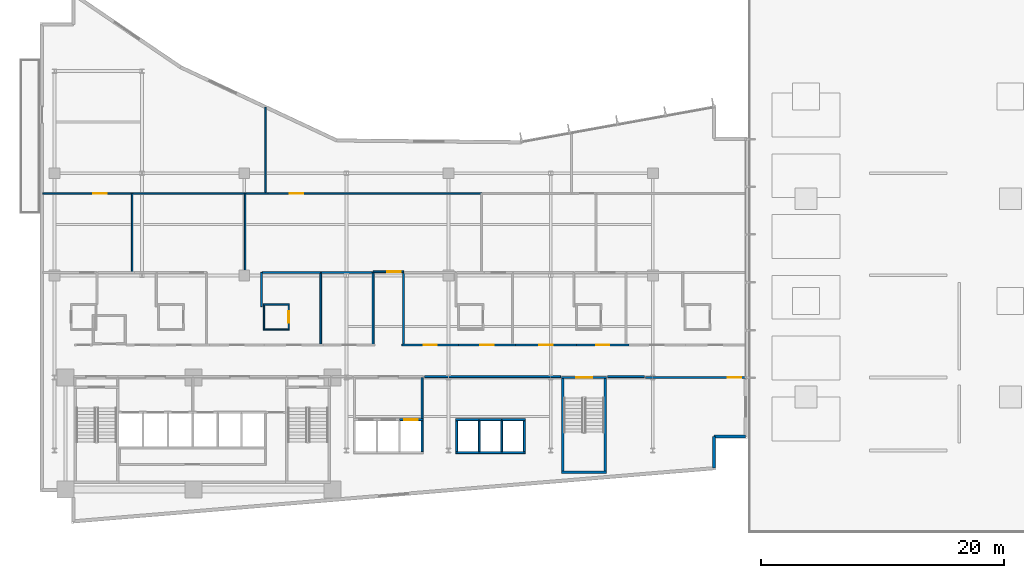
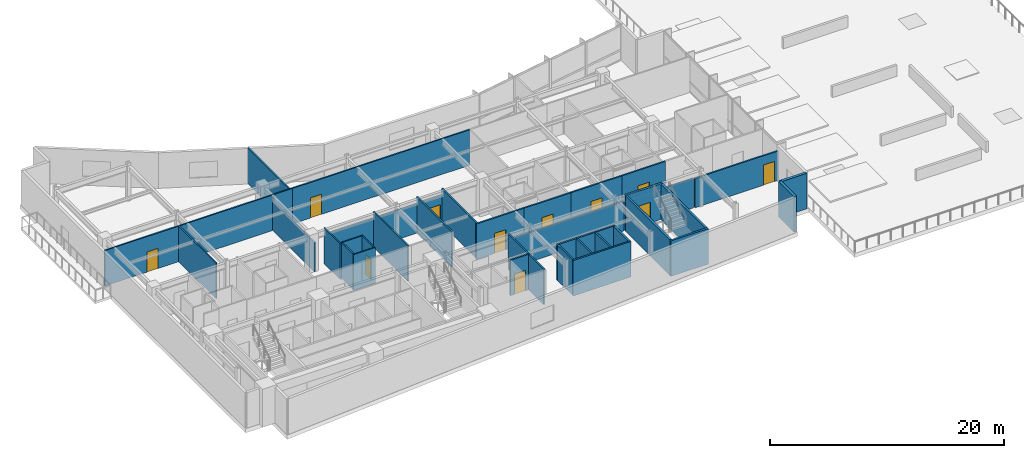
# One storey, part 12 of 20: 42 walls, 11 doors, 11 openings.
"""IFC4 building model written with IfcOpenShell, lengths in metres."""

from ifc_helpers import new_model, si_unit, direction, frame, frame_2d, origin, place, context, subcontext, project, spatial, rectangle, extrude, material, layer, layer_set, type_object, element, fill, save


model = new_model("IFC4")

# Units and contexts
model_context = context("Model", 3, precision=1e-05, world=origin(), true_north=direction((0.0, 1.0)))
body_context = subcontext(model_context, "Body", "Model", "MODEL_VIEW")
ifc_project = project(units=[si_unit("LENGTHUNIT", "METRE"), si_unit("AREAUNIT", "SQUARE_METRE"), si_unit("VOLUMEUNIT", "CUBIC_METRE"), si_unit("PLANEANGLEUNIT", "RADIAN"), si_unit("MASSUNIT", "GRAM", prefix="KILO")], contexts=[model_context])

# Site, building, storey
site_placement = place(None, origin())
site = spatial("IfcSite", under=ifc_project, at=site_placement, CompositionType="ELEMENT")
building_placement = place(site_placement, origin())
building = spatial("IfcBuilding", under=site, at=building_placement, Name="Varnakote Quay Hospital", CompositionType="ELEMENT")
storey_placement = place(building_placement, frame((0.0, 0.0, 22.5)))
storey = spatial("IfcBuildingStorey", under=building, at=storey_placement, Name="L05", CompositionType="ELEMENT", Elevation=22.5)

# Walls
ifc_material_1 = material(Name="Fire-rated acoustic gypsum stud wall", Category="gypsum")
ifc_layer_1 = layer(ifc_material_1, 0.159912109375)
ifc_layer_set_1 = layer_set([ifc_layer_1], Name="Fire-rated acoustic gypsum stud wall")
wall_type_1 = type_object("IfcWallType", Name="WL-COMP-160", PredefinedType="PARTITIONING", material=ifc_layer_set_1)
wall_1_placement = place(storey_placement, frame((31.429931640625, 8.610107421875, 0.0), z_axis=(0.0, 0.0, 1.0), x_axis=(0.0, 1.0, 0.0)))
element("IfcWall", 1, at=wall_1_placement, inside=storey, type_object=wall_type_1, Name="L05 Low-Rise Lift Lobby East Wall", PredefinedType="PARTITIONING", context=body_context, shape_type="SweptSolid", body=[
    extrude(rectangle(XDim=3.389892578125, YDim=0.159912109375, at=frame_2d((1.69482421875, 0.0))), origin(), (0.0, 0.0, 1.0), 3.7099609375),
])
wall_2_placement = place(storey_placement, frame((31.6298828125, 12.080078125, 0.0), z_axis=(0.0, 0.0, 1.0), x_axis=(1.0, 0.0, 0.0)))
element("IfcWall", 2, at=wall_2_placement, inside=storey, type_object=wall_type_1, Name="L05 Corridor South Gap Wall", PredefinedType="PARTITIONING", context=body_context, shape_type="SweptSolid", body=[
    extrude(rectangle(XDim=11.180908203125, YDim=0.159912109375, at=frame_2d((5.59033203125, 0.0))), origin(), (0.0, 0.0, 1.0), 3.072998046875),
])
wall_3_placement = place(storey_placement, frame((46.689208984375, 12.080078125, 0.0), z_axis=(0.0, 0.0, 1.0), x_axis=(1.0, 0.0, 0.0)))
element("IfcWall", 3, at=wall_3_placement, inside=storey, type_object=wall_type_1, Name="L05 Corridor South Gap Wall", PredefinedType="PARTITIONING", context=body_context, shape_type="SweptSolid", body=[
    extrude(rectangle(XDim=3.0107421875, YDim=0.159912109375, at=frame_2d((1.50537109375, 0.0))), origin(), (0.0, 0.0, 1.0), 3.072998046875),
])
ifc_material_2 = material(Name="Moisture-resistant bathroom partition", Category="gypsum")
ifc_layer_2 = layer(ifc_material_2, 0.114990234375)
ifc_layer_set_2 = layer_set([ifc_layer_2], Name="Moisture-resistant bathroom partition")
wall_type_2 = type_object("IfcWallType", Name="WL-ENS-115", PredefinedType="PARTITIONING", material=ifc_layer_set_2)
for number, where, z_axis, x_axis, name in (
    (4, (18.364990234375, 15.952392578125, 0.0), (0.0, 0.0, 1.0), (1.0, 0.0, 0.0), "L05 Inpatient En-Suite Bathroom 03 S Wall"),
    (5, (18.364990234375, 18.017578125, 0.0), (0.0, 0.0, 1.0), (1.0, 0.0, 0.0), "L05 Inpatient En-Suite Bathroom 03 N Wall"),
):
    element("IfcWall", number, at=place(storey_placement, frame(where, z_axis=z_axis, x_axis=x_axis)), inside=storey, type_object=wall_type_2, Name=name, PredefinedType="PARTITIONING", context=body_context, shape_type="SweptSolid", body=[
        extrude(rectangle(XDim=2.14990234375, YDim=0.114990234375, at=frame_2d((1.074951171875, 0.0))), origin(), (0.0, 0.0, 1.0), 3.7099609375),
    ])
wall_4_placement = place(storey_placement, frame((18.422607421875, 16.010009765625, 0.0), z_axis=(0.0, 0.0, 1.0), x_axis=(0.0, 1.0, 0.0)))
element("IfcWall", 6, at=wall_4_placement, inside=storey, type_object=wall_type_2, Name="L05 Inpatient En-Suite Bathroom 03 W Wall", PredefinedType="PARTITIONING", context=body_context, shape_type="SweptSolid", body=[
    extrude(rectangle(XDim=1.949951171875, YDim=0.114990234375, at=frame_2d((0.97509765625, 0.0))), origin(), (0.0, 0.0, 1.0), 3.7099609375),
])

# Wall, opening, door
wall_5_placement = place(storey_placement, frame((20.45751953125, 16.010009765625, 0.0), z_axis=(0.0, 0.0, 1.0), x_axis=(0.0, 1.0, 0.0)))
wall_5 = element("IfcWall", 7, at=wall_5_placement, inside=storey, type_object=wall_type_2, Name="L05 Inpatient En-Suite Bathroom 03 E Wall", PredefinedType="PARTITIONING", context=body_context, shape_type="SweptSolid", body=[
    extrude(rectangle(XDim=1.949951171875, YDim=0.114990234375, at=frame_2d((0.97509765625, 0.0))), origin(), (0.0, 0.0, 1.0), 3.7099609375),
])
opening_1_placement = place(wall_5_placement, frame((0.514892578125, 0.0, 0.0)))
opening_1 = element("IfcOpeningElement", 8, at=opening_1_placement, cuts=wall_5, Name="Opening D-L05-ENS03", PredefinedType="OPENING", context=body_context, shape_type="SweptSolid", body=[
    extrude(rectangle(XDim=0.919921875, YDim=2.10009765625, at=frame_2d((0.4599609375, 1.050048828125))), frame((0.0, 0.0673828125, 0.0), z_axis=(0.0, -1.0, 0.0), x_axis=(1.0, 0.0, 0.0)), (0.0, 0.0, 1.0), 0.135009765625),
])
ifc_material_3 = material(Name="Moisture-sealed en-suite bathroom door")
door_type_1 = type_object("IfcDoorType", Name="DR-ENS-920x2100", OperationType="NOTDEFINED", PredefinedType="DOOR", material=ifc_material_3)
door_1_placement = place(opening_1_placement, origin())
door_1 = element("IfcDoor", 9, at=door_1_placement, inside=storey, type_object=door_type_1, Name="L05 Inpatient En-Suite Bathroom 03 Door", OperationType="SINGLE_SWING_LEFT", OverallHeight=2.10009765625, OverallWidth=0.919921875, PredefinedType="DOOR", context=body_context, shape_type="SweptSolid", body=[
    extrude(rectangle(XDim=0.919921875, YDim=2.10009765625, at=frame_2d((0.4599609375, 1.050048828125))), frame((0.0, 0.02490234375, 0.0), z_axis=(0.0, -1.0, 0.0), x_axis=(1.0, 0.0, 0.0)), (0.0, 0.0, 1.0), 0.050048828125),
])
fill(opening_1, door_1)

# Walls
ifc_material_4 = material(Name="Precast concrete N50 (f'c 50 MPa)", Category="concrete")
ifc_layer_3 = layer(ifc_material_4, 0.260009765625)
ifc_layer_set_3 = layer_set([ifc_layer_3], Name="Precast concrete N50 (f'c 50 MPa)")
wall_type_3 = type_object("IfcWallType", Name="WL-EXT-BRICK-260", PredefinedType="STANDARD", material=ifc_layer_set_3)
wall_6_placement = place(storey_placement, frame((55.43994140625, 4.54736328125, 0.0), z_axis=(0.0, 0.0, 1.0), x_axis=(0.0, 1.0, 0.0)))
element("IfcWall", 10, at=wall_6_placement, inside=storey, type_object=wall_type_3, Name="L05 Brick-Faced Precast Exterior Wall", PredefinedType="STANDARD", context=body_context, shape_type="SweptSolid", body=[
    extrude(rectangle(XDim=2.612548828125, YDim=0.260009765625, at=frame_2d((1.30615234375, 0.0))), origin(), (0.0, 0.0, 1.0), 3.7099609375),
])
wall_7_placement = place(storey_placement, frame((55.43994140625, 7.159912109375, 0.0), z_axis=(0.0, 0.0, 1.0), x_axis=(1.0, 0.0, 0.0)))
element("IfcWall", 11, at=wall_7_placement, inside=storey, type_object=wall_type_3, Name="L05 Brick-Faced Precast Exterior Wall", PredefinedType="STANDARD", context=body_context, shape_type="SweptSolid", body=[
    extrude(rectangle(XDim=2.60009765625, YDim=0.260009765625, at=frame_2d((1.300048828125, 0.0))), origin(), (0.0, 0.0, 1.0), 3.7099609375),
])
ifc_material_5 = material(Name="Concrete N50 (f'c 50 MPa)", Category="concrete")
ifc_layer_4 = layer(ifc_material_5, 0.14990234375)
ifc_layer_set_4 = layer_set([ifc_layer_4], Name="Concrete N50 (f'c 50 MPa)")
wall_type_4 = type_object("IfcWallType", Name="WL-SHAFT-N50-150", PredefinedType="SHEAR", material=ifc_layer_set_4)
for number, where, z_axis, x_axis, name in (
    (12, (36.125, 5.89990234375, 0.0), (0.0, 0.0, 1.0), (0.0, 1.0, 0.0), "L05 LF-PM1 Hoistway Divider Wall"),
    (13, (37.97509765625, 5.89990234375, 0.0), (0.0, 0.0, 1.0), (0.0, 1.0, 0.0), "L05 LF-PM2 Hoistway Divider Wall"),
):
    element("IfcWall", number, at=place(storey_placement, frame(where, z_axis=z_axis, x_axis=x_axis)), inside=storey, type_object=wall_type_4, Name=name, PredefinedType="SHEAR", context=body_context, shape_type="SweptSolid", body=[
        extrude(rectangle(XDim=2.550048828125, YDim=0.14990234375, at=frame_2d((1.27490234375, 0.0))), origin(), (0.0, 0.0, 1.0), 3.7099609375),
    ])
ifc_material_6 = material(Name="Concrete N50 (f'c 50 MPa)", Category="concrete")
ifc_layer_5 = layer(ifc_material_6, 0.159912109375)
ifc_layer_set_5 = layer_set([ifc_layer_5], Name="Concrete N50 (f'c 50 MPa)")
wall_type_5 = type_object("IfcWallType", Name="WL-SHAFT-N50-160", PredefinedType="SHEAR", material=ifc_layer_set_5)
wall_8_placement = place(storey_placement, frame((31.429931640625, 5.89990234375, 0.0), z_axis=(0.0, 0.0, 1.0), x_axis=(0.0, 1.0, 0.0)))
element("IfcWall", 14, at=wall_8_placement, inside=storey, type_object=wall_type_5, Name="L05 LOW Lift Bank East Shear Wall", PredefinedType="SHEAR", context=body_context, shape_type="SweptSolid", body=[
    extrude(rectangle(XDim=2.550048828125, YDim=0.159912109375, at=frame_2d((1.27490234375, 0.0))), origin(), (0.0, 0.0, 1.0), 3.7099609375),
])

# Wall, opening, door
wall_9_placement = place(storey_placement, frame((29.574951171875, 8.530029296875, 0.0), z_axis=(0.0, 0.0, 1.0), x_axis=(1.0, 0.0, 0.0)))
wall_9 = element("IfcWall", 15, at=wall_9_placement, inside=storey, type_object=wall_type_5, Name="L05 LF-PL3 Hoistway Front Wall", PredefinedType="SHEAR", context=body_context, shape_type="SweptSolid", body=[
    extrude(rectangle(XDim=1.93505859375, YDim=0.159912109375, at=frame_2d((0.967529296875, 0.0))), origin(), (0.0, 0.0, 1.0), 3.7099609375),
])
opening_2_placement = place(wall_9_placement, frame((0.375, 0.0, 0.0)))
opening_2 = element("IfcOpeningElement", 16, at=opening_2_placement, cuts=wall_9, Name="Opening LD-PL3-L05", PredefinedType="OPENING", context=body_context, shape_type="SweptSolid", body=[
    extrude(rectangle(XDim=1.10009765625, YDim=2.14990234375, at=frame_2d((0.550048828125, 1.074951171875))), frame((0.0, 0.08984375, 0.0), z_axis=(0.0, -1.0, 0.0), x_axis=(1.0, 0.0, 0.0)), (0.0, 0.0, 1.0), 0.179931640625),
])
ifc_material_7 = material(Name="Brushed bronze lift landing sliding door")
door_type_2 = type_object("IfcDoorType", Name="DR-LIFT-LD-1100x2150", OperationType="NOTDEFINED", PredefinedType="DOOR", material=ifc_material_7)
door_2_placement = place(opening_2_placement, origin())
door_2 = element("IfcDoor", 17, at=door_2_placement, inside=storey, type_object=door_type_2, Name="L05 LF-PL3 Lift Landing Sliding Door", OperationType="SLIDING_TO_LEFT", OverallHeight=2.14990234375, OverallWidth=1.10009765625, PredefinedType="DOOR", context=body_context, shape_type="SweptSolid", body=[
    extrude(rectangle(XDim=1.10009765625, YDim=2.14990234375, at=frame_2d((0.550048828125, 1.074951171875))), frame((0.0, 0.02490234375, 0.0), z_axis=(0.0, -1.0, 0.0), x_axis=(1.0, 0.0, 0.0)), (0.0, 0.0, 1.0), 0.050048828125),
])
fill(opening_2, door_2)

# Walls
wall_10_placement = place(storey_placement, frame((34.18994140625, 5.820068359375, 0.0), z_axis=(0.0, 0.0, 1.0), x_axis=(1.0, 0.0, 0.0)))
element("IfcWall", 18, at=wall_10_placement, inside=storey, type_object=wall_type_5, Name="L05 MID Lift Bank Back Shear Wall", PredefinedType="SHEAR", context=body_context, shape_type="SweptSolid", body=[
    extrude(rectangle(XDim=5.719970703125, YDim=0.159912109375, at=frame_2d((2.85986328125, 0.0))), origin(), (0.0, 0.0, 1.0), 3.7099609375),
])
for number, where, z_axis, x_axis, name in (
    (19, (34.27001953125, 5.89990234375, 0.0), (0.0, 0.0, 1.0), (0.0, 1.0, 0.0), "L05 MID Lift Bank West Shear Wall"),
    (20, (39.830078125, 5.89990234375, 0.0), (0.0, 0.0, 1.0), (0.0, 1.0, 0.0), "L05 MID Lift Bank East Shear Wall"),
):
    element("IfcWall", number, at=place(storey_placement, frame(where, z_axis=z_axis, x_axis=x_axis)), inside=storey, type_object=wall_type_5, Name=name, PredefinedType="SHEAR", context=body_context, shape_type="SweptSolid", body=[
        extrude(rectangle(XDim=2.550048828125, YDim=0.159912109375, at=frame_2d((1.27490234375, 0.0))), origin(), (0.0, 0.0, 1.0), 3.7099609375),
    ])
wall_11_placement = place(storey_placement, frame((34.18994140625, 8.530029296875, 0.0), z_axis=(0.0, 0.0, 1.0), x_axis=(1.0, 0.0, 0.0)))
element("IfcWall", 21, at=wall_11_placement, inside=storey, type_object=wall_type_5, Name="L05 LF-PM1 Hoistway Front Wall", PredefinedType="SHEAR", context=body_context, shape_type="SweptSolid", body=[
    extrude(rectangle(XDim=1.93505859375, YDim=0.159912109375, at=frame_2d((0.967529296875, 0.0))), origin(), (0.0, 0.0, 1.0), 3.7099609375),
])
wall_12_placement = place(storey_placement, frame((36.125, 8.530029296875, 0.0), z_axis=(0.0, 0.0, 1.0), x_axis=(1.0, 0.0, 0.0)))
element("IfcWall", 22, at=wall_12_placement, inside=storey, type_object=wall_type_5, Name="L05 LF-PM2 Hoistway Front Wall", PredefinedType="SHEAR", context=body_context, shape_type="SweptSolid", body=[
    extrude(rectangle(XDim=1.85009765625, YDim=0.159912109375, at=frame_2d((0.925048828125, 0.0))), origin(), (0.0, 0.0, 1.0), 3.7099609375),
])
wall_13_placement = place(storey_placement, frame((37.97509765625, 8.530029296875, 0.0), z_axis=(0.0, 0.0, 1.0), x_axis=(1.0, 0.0, 0.0)))
element("IfcWall", 23, at=wall_13_placement, inside=storey, type_object=wall_type_5, Name="L05 LF-PM3 Hoistway Front Wall", PredefinedType="SHEAR", context=body_context, shape_type="SweptSolid", body=[
    extrude(rectangle(XDim=1.934814453125, YDim=0.159912109375, at=frame_2d((0.96728515625, 0.0))), origin(), (0.0, 0.0, 1.0), 3.7099609375),
])
ifc_material_8 = material(Name="Concrete N50 (f'c 50 MPa)", Category="concrete")
ifc_layer_6 = layer(ifc_material_8, 0.199951171875)
ifc_layer_set_6 = layer_set([ifc_layer_6], Name="Concrete N50 (f'c 50 MPa)")
wall_type_6 = type_object("IfcWallType", Name="WL-SHAFT-N50-200", PredefinedType="SHEAR", material=ifc_layer_set_6)
wall_14_placement = place(storey_placement, frame((42.89990234375, 4.199951171875, 0.0), z_axis=(0.0, 0.0, 1.0), x_axis=(1.0, 0.0, 0.0)))
element("IfcWall", 24, at=wall_14_placement, inside=storey, type_object=wall_type_6, Name="L05 Stair ST3 South Shaft Wall", PredefinedType="SHEAR", context=body_context, shape_type="SweptSolid", body=[
    extrude(rectangle(XDim=3.7001953125, YDim=0.199951171875, at=frame_2d((1.85009765625, 0.0))), origin(), (0.0, 0.0, 1.0), 3.7099609375),
])
for number, where, z_axis, x_axis, name in (
    (25, (43.0, 4.300048828125, 0.0), (0.0, 0.0, 1.0), (0.0, 1.0, 0.0), "L05 Stair ST3 West Shaft Wall"),
    (26, (46.5, 4.300048828125, 0.0), (0.0, 0.0, 1.0), (0.0, 1.0, 0.0), "L05 Stair ST3 East Shaft Wall"),
):
    element("IfcWall", number, at=place(storey_placement, frame(where, z_axis=z_axis, x_axis=x_axis)), inside=storey, type_object=wall_type_6, Name=name, PredefinedType="SHEAR", context=body_context, shape_type="SweptSolid", body=[
        extrude(rectangle(XDim=7.599853515625, YDim=0.199951171875, at=frame_2d((3.7998046875, 0.0))), origin(), (0.0, 0.0, 1.0), 3.7099609375),
    ])

# Wall, opening, door
wall_15_placement = place(storey_placement, frame((42.89990234375, 12.0, 0.0), z_axis=(0.0, 0.0, 1.0), x_axis=(1.0, 0.0, 0.0)))
wall_15 = element("IfcWall", 27, at=wall_15_placement, inside=storey, type_object=wall_type_6, Name="L05 Stair ST3 Exit Wall", PredefinedType="SHEAR", context=body_context, shape_type="SweptSolid", body=[
    extrude(rectangle(XDim=3.7001953125, YDim=0.199951171875, at=frame_2d((1.85009765625, 0.0))), origin(), (0.0, 0.0, 1.0), 3.7099609375),
])
opening_3_placement = place(wall_15_placement, frame((1.199951171875, 0.0, 0.0)))
opening_3 = element("IfcOpeningElement", 28, at=opening_3_placement, cuts=wall_15, Name="Opening D-ST3-L05", PredefinedType="OPENING", context=body_context, shape_type="SweptSolid", body=[
    extrude(rectangle(XDim=1.300048828125, YDim=2.14990234375, at=frame_2d((0.64990234375, 1.074951171875))), frame((0.0, 0.10986328125, 0.0), z_axis=(0.0, -1.0, 0.0), x_axis=(1.0, 0.0, 0.0)), (0.0, 0.0, 1.0), 0.219970703125),
])
ifc_material_9 = material(Name="Fire-rated ceramic-glazed timber exit door", Category="wood")
door_type_3 = type_object("IfcDoorType", Name="DR-STAIR-FD60S-1300x2150", OperationType="NOTDEFINED", PredefinedType="DOOR", material=ifc_material_9)
door_3_placement = place(opening_3_placement, origin())
door_3 = element("IfcDoor", 29, at=door_3_placement, inside=storey, type_object=door_type_3, Name="L05 Stair ST3 Fire Exit Door", OperationType="SINGLE_SWING_LEFT", OverallHeight=2.14990234375, OverallWidth=1.300048828125, PredefinedType="DOOR", context=body_context, shape_type="SweptSolid", body=[
    extrude(rectangle(XDim=1.300048828125, YDim=2.14990234375, at=frame_2d((0.64990234375, 1.074951171875))), frame((0.0, 0.02490234375, 0.0), z_axis=(0.0, -1.0, 0.0), x_axis=(1.0, 0.0, 0.0)), (0.0, 0.0, 1.0), 0.050048828125),
])
fill(opening_3, door_3)

# Walls
ifc_material_10 = material(Name="Smoke-proof clinical partition", Category="gypsum")
ifc_layer_7 = layer(ifc_material_10, 0.135009765625)
ifc_layer_set_7 = layer_set([ifc_layer_7], Name="Smoke-proof clinical partition")
wall_type_7 = type_object("IfcWallType", Name="WL-SMOKE-135", PredefinedType="PARTITIONING", material=ifc_layer_set_7)
wall_16_placement = place(storey_placement, frame((18.219970703125, 17.83251953125, 0.0), z_axis=(0.0, 0.0, 1.0), x_axis=(0.0, 1.0, 0.0)))
element("IfcWall", 30, at=wall_16_placement, inside=storey, type_object=wall_type_7, Name="L05 Clinical Interior Partition", PredefinedType="PARTITIONING", context=body_context, shape_type="SweptSolid", body=[
    extrude(rectangle(XDim=2.807373046875, YDim=0.135009765625, at=frame_2d((1.40380859375, 0.0))), origin(), (0.0, 0.0, 1.0), 3.7099609375),
])
wall_17_placement = place(storey_placement, frame((23.090087890625, 14.760009765625, 0.0), z_axis=(0.0, 0.0, 1.0), x_axis=(0.0, 1.0, 0.0)))
element("IfcWall", 31, at=wall_17_placement, inside=storey, type_object=wall_type_7, Name="L05 Clinical Interior Partition", PredefinedType="PARTITIONING", context=body_context, shape_type="SweptSolid", body=[
    extrude(rectangle(XDim=5.8798828125, YDim=0.135009765625, at=frame_2d((2.93994140625, 0.0))), origin(), (0.0, 0.0, 1.0), 3.7099609375),
])
wall_18_placement = place(storey_placement, frame((23.090087890625, 20.639892578125, 0.0), z_axis=(0.0, 0.0, 1.0), x_axis=(-1.0, 0.0, 0.0)))
element("IfcWall", 32, at=wall_18_placement, inside=storey, type_object=wall_type_7, Name="L05 Clinical Interior Partition", PredefinedType="PARTITIONING", context=body_context, shape_type="SweptSolid", body=[
    extrude(rectangle(XDim=4.8125, YDim=0.135009765625, at=frame_2d((2.40625, 0.0))), origin(), (0.0, 0.0, 1.0), 3.072998046875),
])
wall_19_placement = place(storey_placement, frame((27.320068359375, 20.639892578125, 0.0), z_axis=(0.0, 0.0, 1.0), x_axis=(-1.0, 0.0, 0.0)))
element("IfcWall", 33, at=wall_19_placement, inside=storey, type_object=wall_type_7, Name="L05 Clinical Interior Partition", PredefinedType="PARTITIONING", context=body_context, shape_type="SweptSolid", body=[
    extrude(rectangle(XDim=4.172607421875, YDim=0.135009765625, at=frame_2d((2.08642578125, 0.0))), origin(), (0.0, 0.0, 1.0), 3.072998046875),
])
wall_20_placement = place(storey_placement, frame((7.580078125, 20.697509765625, 0.0), z_axis=(0.0, 0.0, 1.0), x_axis=(0.0, 1.0, 0.0)))
element("IfcWall", 34, at=wall_20_placement, inside=storey, type_object=wall_type_7, Name="L05 Clinical Interior Partition", PredefinedType="PARTITIONING", context=body_context, shape_type="SweptSolid", body=[
    extrude(rectangle(XDim=6.4423828125, YDim=0.135009765625, at=frame_2d((3.22119140625, 0.0))), origin(), (0.0, 0.0, 1.0), 3.7099609375),
])

# Wall, opening, door
wall_21_placement = place(storey_placement, frame((7.580078125, 27.139892578125, 0.0), z_axis=(0.0, 0.0, 1.0), x_axis=(-1.0, 0.0, 0.0)))
wall_21 = element("IfcWall", 35, at=wall_21_placement, inside=storey, type_object=wall_type_7, Name="L05 Clinical Interior Partition", PredefinedType="PARTITIONING", context=body_context, shape_type="SweptSolid", body=[
    extrude(rectangle(XDim=7.340087890625, YDim=0.135009765625, at=frame_2d((3.669921875, 0.0))), origin(), (0.0, 0.0, 1.0), 3.7099609375),
])
opening_4_placement = place(wall_21_placement, frame((2.097900390625, 0.0, 0.0)))
opening_4 = element("IfcOpeningElement", 36, at=opening_4_placement, cuts=wall_21, Name="Opening D-L05-MD10", PredefinedType="OPENING", context=body_context, shape_type="SweptSolid", body=[
    extrude(rectangle(XDim=1.10009765625, YDim=2.10009765625, at=frame_2d((0.550048828125, 1.050048828125))), frame((0.0, 0.077392578125, 0.0), z_axis=(0.0, -1.0, 0.0), x_axis=(1.0, 0.0, 0.0)), (0.0, 0.0, 1.0), 0.155029296875),
])
ifc_material_11 = material(Name="Acoustic timber clinical consult door", Category="wood")
door_type_4 = type_object("IfcDoorType", Name="DR-CLIN-FD30S-1100x2100", OperationType="NOTDEFINED", PredefinedType="DOOR", material=ifc_material_11)
door_4_placement = place(opening_4_placement, origin())
door_4 = element("IfcDoor", 37, at=door_4_placement, inside=storey, type_object=door_type_4, Name="L05 Allied Health Assessment Office Door", OperationType="SINGLE_SWING_LEFT", OverallHeight=2.10009765625, OverallWidth=1.10009765625, PredefinedType="DOOR", context=body_context, shape_type="SweptSolid", body=[
    extrude(rectangle(XDim=1.10009765625, YDim=2.10009765625, at=frame_2d((0.550048828125, 1.050048828125))), frame((0.0, 0.02490234375, 0.0), z_axis=(0.0, -1.0, 0.0), x_axis=(1.0, 0.0, 0.0)), (0.0, 0.0, 1.0), 0.050048828125),
])
fill(opening_4, door_4)

# Walls
wall_22_placement = place(storey_placement, frame((16.8701171875, 19.949951171875, 0.0), z_axis=(0.0, 0.0, 1.0), x_axis=(0.0, 1.0, 0.0)))
element("IfcWall", 38, at=wall_22_placement, inside=storey, type_object=wall_type_7, Name="L05 Clinical Interior Partition", PredefinedType="PARTITIONING", context=body_context, shape_type="SweptSolid", body=[
    extrude(rectangle(XDim=7.18994140625, YDim=0.135009765625, at=frame_2d((3.594970703125, 0.0))), origin(), (0.0, 0.0, 1.0), 3.072998046875),
])
wall_23_placement = place(storey_placement, frame((16.8701171875, 27.139892578125, 0.0), z_axis=(0.0, 0.0, 1.0), x_axis=(-1.0, 0.0, 0.0)))
element("IfcWall", 39, at=wall_23_placement, inside=storey, type_object=wall_type_7, Name="L05 Clinical Interior Partition", PredefinedType="PARTITIONING", context=body_context, shape_type="SweptSolid", body=[
    extrude(rectangle(XDim=9.232666015625, YDim=0.135009765625, at=frame_2d((4.6162109375, 0.0))), origin(), (0.0, 0.0, 1.0), 3.7099609375),
])
wall_24_placement = place(storey_placement, frame((18.74755859375, 27.139892578125, 0.0), z_axis=(0.0, 0.0, 1.0), x_axis=(-1.0, 0.0, 0.0)))
element("IfcWall", 40, at=wall_24_placement, inside=storey, type_object=wall_type_7, Name="L05 Clinical Interior Partition", PredefinedType="PARTITIONING", context=body_context, shape_type="SweptSolid", body=[
    extrude(rectangle(XDim=1.820068359375, YDim=0.135009765625, at=frame_2d((0.91015625, 0.0))), origin(), (0.0, 0.0, 1.0), 3.7099609375),
])

# Wall, opening, door
wall_25_placement = place(storey_placement, frame((36.320068359375, 27.139892578125, 0.0), z_axis=(0.0, 0.0, 1.0), x_axis=(-1.0, 0.0, 0.0)))
wall_25 = element("IfcWall", 41, at=wall_25_placement, inside=storey, type_object=wall_type_7, Name="L05 Clinical Interior Partition", PredefinedType="PARTITIONING", context=body_context, shape_type="SweptSolid", body=[
    extrude(rectangle(XDim=17.570556640625, YDim=0.135009765625, at=frame_2d((8.78515625, 0.0))), origin(), (0.0, 0.0, 1.0), 3.7099609375),
])
opening_5_placement = place(wall_25_placement, frame((14.663330078125, 0.0, 0.0)))
opening_5 = element("IfcOpeningElement", 42, at=opening_5_placement, cuts=wall_25, Name="Opening D-L05-MD11", PredefinedType="OPENING", context=body_context, shape_type="SweptSolid", body=[
    extrude(rectangle(XDim=1.10009765625, YDim=2.10009765625, at=frame_2d((0.550048828125, 1.050048828125))), frame((0.0, 0.077392578125, 0.0), z_axis=(0.0, -1.0, 0.0), x_axis=(1.0, 0.0, 0.0)), (0.0, 0.0, 1.0), 0.155029296875),
])
door_5_placement = place(opening_5_placement, origin())
door_5 = element("IfcDoor", 43, at=door_5_placement, inside=storey, type_object=door_type_4, Name="L05 Ambulatory Infusion Treatment Suite Door", OperationType="SINGLE_SWING_RIGHT", OverallHeight=2.10009765625, OverallWidth=1.10009765625, PredefinedType="DOOR", context=body_context, shape_type="SweptSolid", body=[
    extrude(rectangle(XDim=1.10009765625, YDim=2.10009765625, at=frame_2d((0.550048828125, 1.050048828125))), frame((0.0, 0.02490234375, 0.0), z_axis=(0.0, -1.0, 0.0), x_axis=(1.0, 0.0, 0.0)), (0.0, 0.0, 1.0), 0.050048828125),
])
fill(opening_5, door_5)

# Wall
wall_26_placement = place(storey_placement, frame((18.5400390625, 27.197509765625, 0.0), z_axis=(0.0, 0.0, 1.0), x_axis=(0.0, 1.0, 0.0)))
element("IfcWall", 44, at=wall_26_placement, inside=storey, type_object=wall_type_7, Name="L05 Clinical Interior Partition", PredefinedType="PARTITIONING", context=body_context, shape_type="SweptSolid", body=[
    extrude(rectangle(XDim=7.04638671875, YDim=0.135009765625, at=frame_2d((3.523193359375, 0.0))), origin(), (0.0, 0.0, 1.0), 3.7099609375),
])

# Wall, opening, door
ifc_material_12 = material(Name="Fire-rated clinical gypsum partition", Category="gypsum")
ifc_layer_8 = layer(ifc_material_12, 0.14990234375)
ifc_layer_set_8 = layer_set([ifc_layer_8], Name="Fire-rated clinical gypsum partition")
wall_type_8 = type_object("IfcWallType", Name="WL-WARD-150", PredefinedType="PARTITIONING", material=ifc_layer_set_8)
wall_27_placement = place(storey_placement, frame((58.0400390625, 12.0, 0.0), z_axis=(0.0, 0.0, 1.0), x_axis=(-1.0, 0.0, 0.0)))
wall_27 = element("IfcWall", 45, at=wall_27_placement, inside=storey, type_object=wall_type_8, Name="L05 Clinical Interior Partition", PredefinedType="PARTITIONING", context=body_context, shape_type="SweptSolid", body=[
    extrude(rectangle(XDim=8.239990234375, YDim=0.14990234375, at=frame_2d((4.1201171875, 0.0))), origin(), (0.0, 0.0, 1.0), 3.072998046875),
])
opening_6_placement = place(wall_27_placement, frame((0.368408203125, 0.0, 0.0)))
opening_6 = element("IfcOpeningElement", 46, at=opening_6_placement, cuts=wall_27, Name="Opening D-L05-SE1", PredefinedType="OPENING", context=body_context, shape_type="SweptSolid", body=[
    extrude(rectangle(XDim=1.10009765625, YDim=2.10009765625, at=frame_2d((0.550048828125, 1.050048828125))), frame((0.0, 0.0849609375, 0.0), z_axis=(0.0, -1.0, 0.0), x_axis=(1.0, 0.0, 0.0)), (0.0, 0.0, 1.0), 0.169921875),
])
door_6_placement = place(opening_6_placement, origin())
door_6 = element("IfcDoor", 47, at=door_6_placement, inside=storey, type_object=door_type_4, Name="L05 Clinical Biomedical Engineering Office Door", OperationType="SINGLE_SWING_LEFT", OverallHeight=2.10009765625, OverallWidth=1.10009765625, PredefinedType="DOOR", context=body_context, shape_type="SweptSolid", body=[
    extrude(rectangle(XDim=1.10009765625, YDim=2.10009765625, at=frame_2d((0.550048828125, 1.050048828125))), frame((0.0, 0.02490234375, 0.0), z_axis=(0.0, -1.0, 0.0), x_axis=(1.0, 0.0, 0.0)), (0.0, 0.0, 1.0), 0.050048828125),
])
fill(opening_6, door_6)

wall_28_placement = place(storey_placement, frame((34.43603515625, 14.679931640625, 0.0), z_axis=(0.0, 0.0, 1.0), x_axis=(-1.0, 0.0, 0.0)))
wall_28 = element("IfcWall", 48, at=wall_28_placement, inside=storey, type_object=wall_type_8, Name="L05 Clinical Interior Partition", PredefinedType="PARTITIONING", context=body_context, shape_type="SweptSolid", body=[
    extrude(rectangle(XDim=4.68212890625, YDim=0.14990234375, at=frame_2d((2.341064453125, 0.0))), origin(), (0.0, 0.0, 1.0), 3.7099609375),
])
opening_7_placement = place(wall_28_placement, frame((1.791015625, 0.0, 0.0)))
opening_7 = element("IfcOpeningElement", 49, at=opening_7_placement, cuts=wall_28, Name="Opening D-L05-MD04", PredefinedType="OPENING", context=body_context, shape_type="SweptSolid", body=[
    extrude(rectangle(XDim=1.10009765625, YDim=2.10009765625, at=frame_2d((0.550048828125, 1.050048828125))), frame((0.0, 0.0849609375, 0.0), z_axis=(0.0, -1.0, 0.0), x_axis=(1.0, 0.0, 0.0)), (0.0, 0.0, 1.0), 0.169921875),
])
door_7_placement = place(opening_7_placement, origin())
door_7 = element("IfcDoor", 50, at=door_7_placement, inside=storey, type_object=door_type_4, Name="L05 Case Review Meeting Room Door", OperationType="SINGLE_SWING_RIGHT", OverallHeight=2.10009765625, OverallWidth=1.10009765625, PredefinedType="DOOR", context=body_context, shape_type="SweptSolid", body=[
    extrude(rectangle(XDim=1.10009765625, YDim=2.10009765625, at=frame_2d((0.550048828125, 1.050048828125))), frame((0.0, 0.02490234375, 0.0), z_axis=(0.0, -1.0, 0.0), x_axis=(1.0, 0.0, 0.0)), (0.0, 0.0, 1.0), 0.050048828125),
])
fill(opening_7, door_7)

wall_29_placement = place(storey_placement, frame((39.095947265625, 14.679931640625, 0.0), z_axis=(0.0, 0.0, 1.0), x_axis=(-1.0, 0.0, 0.0)))
wall_29 = element("IfcWall", 51, at=wall_29_placement, inside=storey, type_object=wall_type_8, Name="L05 Clinical Interior Partition", PredefinedType="PARTITIONING", context=body_context, shape_type="SweptSolid", body=[
    extrude(rectangle(XDim=4.657958984375, YDim=0.14990234375, at=frame_2d((2.3291015625, 0.0))), origin(), (0.0, 0.0, 1.0), 3.7099609375),
])
opening_8_placement = place(wall_29_placement, frame((1.779052734375, 0.0, 0.0)))
opening_8 = element("IfcOpeningElement", 52, at=opening_8_placement, cuts=wall_29, Name="Opening D-L05-BR04", PredefinedType="OPENING", context=body_context, shape_type="SweptSolid", body=[
    extrude(rectangle(XDim=1.10009765625, YDim=2.10009765625, at=frame_2d((0.550048828125, 1.050048828125))), frame((0.0, 0.0849609375, 0.0), z_axis=(0.0, -1.0, 0.0), x_axis=(1.0, 0.0, 0.0)), (0.0, 0.0, 1.0), 0.169921875),
])
door_8_placement = place(opening_8_placement, origin())
door_8 = element("IfcDoor", 53, at=door_8_placement, inside=storey, type_object=door_type_4, Name="L05 Inpatient Clinical Treatment Room 04 Door", OperationType="SINGLE_SWING_LEFT", OverallHeight=2.10009765625, OverallWidth=1.10009765625, PredefinedType="DOOR", context=body_context, shape_type="SweptSolid", body=[
    extrude(rectangle(XDim=1.10009765625, YDim=2.10009765625, at=frame_2d((0.550048828125, 1.050048828125))), frame((0.0, 0.02490234375, 0.0), z_axis=(0.0, -1.0, 0.0), x_axis=(1.0, 0.0, 0.0)), (0.0, 0.0, 1.0), 0.050048828125),
])
fill(opening_8, door_8)

wall_30_placement = place(storey_placement, frame((44.135986328125, 14.679931640625, 0.0), z_axis=(0.0, 0.0, 1.0), x_axis=(-1.0, 0.0, 0.0)))
wall_30 = element("IfcWall", 54, at=wall_30_placement, inside=storey, type_object=wall_type_8, Name="L05 Clinical Interior Partition", PredefinedType="PARTITIONING", context=body_context, shape_type="SweptSolid", body=[
    extrude(rectangle(XDim=5.0380859375, YDim=0.14990234375, at=frame_2d((2.51904296875, 0.0))), origin(), (0.0, 0.0, 1.0), 3.7099609375),
])
opening_9_placement = place(wall_30_placement, frame((1.968994140625, 0.0, 0.0)))
opening_9 = element("IfcOpeningElement", 55, at=opening_9_placement, cuts=wall_30, Name="Opening D-L05-MD05", PredefinedType="OPENING", context=body_context, shape_type="SweptSolid", body=[
    extrude(rectangle(XDim=1.10009765625, YDim=2.10009765625, at=frame_2d((0.550048828125, 1.050048828125))), frame((0.0, 0.0849609375, 0.0), z_axis=(0.0, -1.0, 0.0), x_axis=(1.0, 0.0, 0.0)), (0.0, 0.0, 1.0), 0.169921875),
])
door_9_placement = place(opening_9_placement, origin())
door_9 = element("IfcDoor", 56, at=door_9_placement, inside=storey, type_object=door_type_4, Name="L05 Clinical Diagnostics Seminar Room Door", OperationType="SINGLE_SWING_RIGHT", OverallHeight=2.10009765625, OverallWidth=1.10009765625, PredefinedType="DOOR", context=body_context, shape_type="SweptSolid", body=[
    extrude(rectangle(XDim=1.10009765625, YDim=2.10009765625, at=frame_2d((0.550048828125, 1.050048828125))), frame((0.0, 0.02490234375, 0.0), z_axis=(0.0, -1.0, 0.0), x_axis=(1.0, 0.0, 0.0)), (0.0, 0.0, 1.0), 0.050048828125),
])
fill(opening_9, door_9)

wall_31_placement = place(storey_placement, frame((48.426025390625, 14.679931640625, 0.0), z_axis=(0.0, 0.0, 1.0), x_axis=(-1.0, 0.0, 0.0)))
wall_31 = element("IfcWall", 57, at=wall_31_placement, inside=storey, type_object=wall_type_8, Name="L05 Clinical Interior Partition", PredefinedType="PARTITIONING", context=body_context, shape_type="SweptSolid", body=[
    extrude(rectangle(XDim=4.2880859375, YDim=0.14990234375, at=frame_2d((2.14404296875, 0.0))), origin(), (0.0, 0.0, 1.0), 3.7099609375),
])
opening_10_placement = place(wall_31_placement, frame((1.593994140625, 0.0, 0.0)))
opening_10 = element("IfcOpeningElement", 58, at=opening_10_placement, cuts=wall_31, Name="Opening D-L05-BR05", PredefinedType="OPENING", context=body_context, shape_type="SweptSolid", body=[
    extrude(rectangle(XDim=1.10009765625, YDim=2.10009765625, at=frame_2d((0.550048828125, 1.050048828125))), frame((0.0, 0.0849609375, 0.0), z_axis=(0.0, -1.0, 0.0), x_axis=(1.0, 0.0, 0.0)), (0.0, 0.0, 1.0), 0.169921875),
])
door_10_placement = place(opening_10_placement, origin())
door_10 = element("IfcDoor", 59, at=door_10_placement, inside=storey, type_object=door_type_4, Name="L05 Inpatient Clinical Treatment Room 05 Door", OperationType="SINGLE_SWING_LEFT", OverallHeight=2.10009765625, OverallWidth=1.10009765625, PredefinedType="DOOR", context=body_context, shape_type="SweptSolid", body=[
    extrude(rectangle(XDim=1.10009765625, YDim=2.10009765625, at=frame_2d((0.550048828125, 1.050048828125))), frame((0.0, 0.02490234375, 0.0), z_axis=(0.0, -1.0, 0.0), x_axis=(1.0, 0.0, 0.0)), (0.0, 0.0, 1.0), 0.050048828125),
])
fill(opening_10, door_10)

# Walls
for number, where, z_axis, x_axis, name in (
    (60, (27.39990234375, 20.699951171875, 0.0), (0.0, 0.0, 1.0), (0.0, -1.0, 0.0), "L05 Clinical Interior Partition"),
    (61, (29.89990234375, 14.699951171875, 0.0), (0.0, 0.0, 1.0), (0.0, 1.0, 0.0), "L05 Clinical Interior Partition"),
):
    element("IfcWall", number, at=place(storey_placement, frame(where, z_axis=z_axis, x_axis=x_axis)), inside=storey, type_object=wall_type_8, Name=name, PredefinedType="PARTITIONING", context=body_context, shape_type="SweptSolid", body=[
        extrude(rectangle(XDim=6.0, YDim=0.14990234375, at=frame_2d((3.0, 0.0))), origin(), (0.0, 0.0, 1.0), 3.7099609375),
    ])

# Wall, opening, door
wall_32_placement = place(storey_placement, frame((29.89990234375, 20.699951171875, 0.0), z_axis=(0.0, 0.0, 1.0), x_axis=(-1.0, 0.0, 0.0)))
wall_32 = element("IfcWall", 62, at=wall_32_placement, inside=storey, type_object=wall_type_8, Name="L05 Clinical Interior Partition", PredefinedType="PARTITIONING", context=body_context, shape_type="SweptSolid", body=[
    extrude(rectangle(XDim=2.5, YDim=0.14990234375, at=frame_2d((1.25, 0.0))), origin(), (0.0, 0.0, 1.0), 3.072998046875),
])
opening_11_placement = place(wall_32_placement, frame((0.22509765625, 0.0, 0.0)))
opening_11 = element("IfcOpeningElement", 63, at=opening_11_placement, cuts=wall_32, Name="Opening D-L05-MD07", PredefinedType="OPENING", context=body_context, shape_type="SweptSolid", body=[
    extrude(rectangle(XDim=1.10009765625, YDim=2.10009765625, at=frame_2d((0.550048828125, 1.050048828125))), frame((0.0, 0.0849609375, 0.0), z_axis=(0.0, -1.0, 0.0), x_axis=(1.0, 0.0, 0.0)), (0.0, 0.0, 1.0), 0.169921875),
])
door_11_placement = place(opening_11_placement, origin())
door_11 = element("IfcDoor", 64, at=door_11_placement, inside=storey, type_object=door_type_4, Name="L05 Ambulatory Infusion Treatment Suite Door", OperationType="SINGLE_SWING_RIGHT", OverallHeight=2.10009765625, OverallWidth=1.10009765625, PredefinedType="DOOR", context=body_context, shape_type="SweptSolid", body=[
    extrude(rectangle(XDim=1.10009765625, YDim=2.10009765625, at=frame_2d((0.550048828125, 1.050048828125))), frame((0.0, 0.02490234375, 0.0), z_axis=(0.0, -1.0, 0.0), x_axis=(1.0, 0.0, 0.0)), (0.0, 0.0, 1.0), 0.050048828125),
])
fill(opening_11, door_11)

save(model, "model.ifc")
